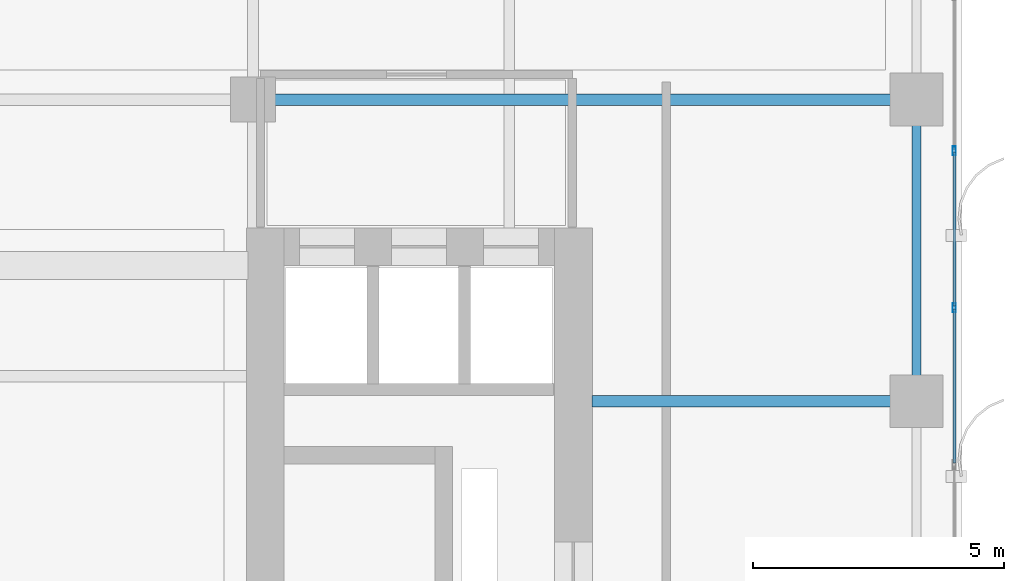
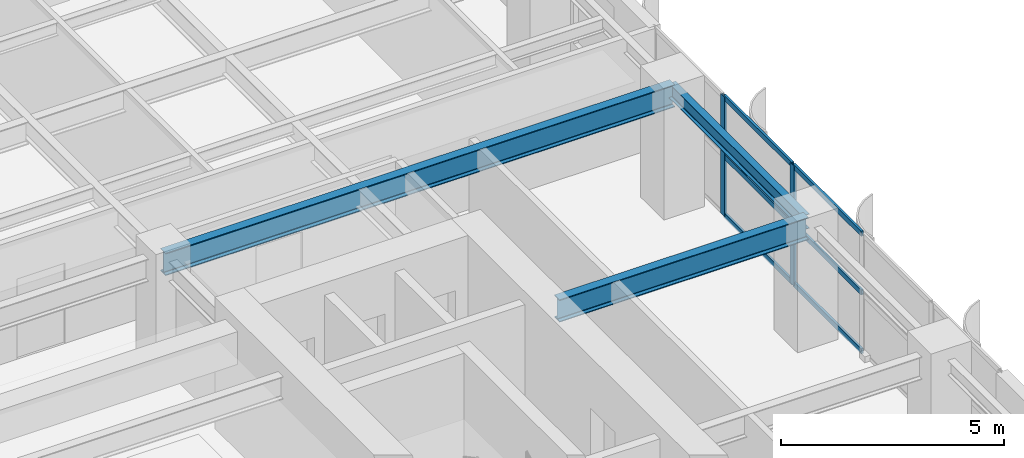
# One storey, part 12 of 28: 8 members, 3 beams, 1 element without a shape of its own.
"""IFC4 building model written with IfcOpenShell, lengths in metres."""

from ifc_helpers import new_model, si_unit, direction, frame, origin, origin_2d, place, context, subcontext, project, spatial, hollow_rectangle, i_section, extrude, source, transform, mapped, material, layer, layer_set, material_profile, profile_set, type_object, element, aggregate, save


model = new_model("IFC4")

# Units and contexts
model_context = context("Model", 3, precision=1e-05, world=origin(), true_north=direction((0.0, 1.0)))
body_context = subcontext(model_context, "Body", "Model", "MODEL_VIEW")
ifc_project = project(units=[si_unit("LENGTHUNIT", "METRE"), si_unit("AREAUNIT", "SQUARE_METRE"), si_unit("VOLUMEUNIT", "CUBIC_METRE"), si_unit("PLANEANGLEUNIT", "RADIAN"), si_unit("MASSUNIT", "GRAM", prefix="KILO")], contexts=[model_context])

# Site, building, storey
site_placement = place(None, origin())
site = spatial("IfcSite", under=ifc_project, at=site_placement, CompositionType="ELEMENT")
building_placement = place(site_placement, origin())
building = spatial("IfcBuilding", under=site, at=building_placement, Name="Khoralis Quay Care Tower", CompositionType="ELEMENT")
storey_placement = place(building_placement, frame((0.0, 0.0, 144.89990234375)))
storey = spatial("IfcBuildingStorey", under=building, at=storey_placement, Name="L38", CompositionType="ELEMENT", Elevation=144.89990234375)

# Beams
ifc_material_1 = material(Name="Steel S355", Category="steel")
ifc_material_profile_1 = material_profile(ifc_material_1, i_section(OverallWidth=0.179931640625, OverallDepth=0.39990234375, WebThickness=0.008544921875, FlangeThickness=0.013427734375, FilletRadius=0.02099609375, at=origin_2d()), Name="Steel S355")
ifc_profile_set_1 = profile_set([ifc_material_profile_1], Name="Steel S355")
beam_type_1 = type_object("IfcBeamType", Name="BM-IPE400", PredefinedType="SPANDREL", material=ifc_profile_set_1)
shared_shape_1 = source(origin(), body_context, "Body", "SweptSolid", [
    extrude(i_section(OverallWidth=0.179931640625, OverallDepth=0.39990234375, WebThickness=0.008544921875, FlangeThickness=0.013427734375, FilletRadius=0.02099609375, at=origin_2d()), origin(), (0.0, 0.0, 1.0), 6.0),
])
beam_1_placement = place(storey_placement, frame((44.10009765625, 24.0, 3.080078125), z_axis=(0.0, 1.0, 0.0), x_axis=(-1.0, 0.0, 0.0)))
element("IfcBeam", 1, at=beam_1_placement, inside=storey, type_object=beam_type_1, Name="BM-TSP-L38-19", PredefinedType="SPANDREL", context=body_context, shape_type="MappedRepresentation", body=[
    mapped(shared_shape_1, transform((0.0, 0.0, 0.0), scale=1.0)),
])
ifc_material_profile_2 = material_profile(ifc_material_1, i_section(OverallWidth=0.22998046875, OverallDepth=0.616943359375, WebThickness=0.01318359375, FlangeThickness=0.022216796875, FilletRadius=0.01806640625, at=origin_2d()), Name="Steel S355")
ifc_profile_set_2 = profile_set([ifc_material_profile_2], Name="Steel S355")
beam_type_2 = type_object("IfcBeamType", Name="BM-W610X140", PredefinedType="BEAM", material=ifc_profile_set_2)
shared_shape_2 = source(origin(), body_context, "Body", "SweptSolid", [
    extrude(i_section(OverallWidth=0.22998046875, OverallDepth=0.616943359375, WebThickness=0.01318359375, FlangeThickness=0.022216796875, FilletRadius=0.01806640625, at=origin_2d()), origin(), (0.0, 0.0, 1.0), 13.2001953125),
])
beam_2_placement = place(storey_placement, frame((30.89990234375, 30.0, 2.9716796875), z_axis=(1.0, 0.0, 0.0), x_axis=(0.0, 1.0, 0.0)))
element("IfcBeam", 2, at=beam_2_placement, inside=storey, type_object=beam_type_2, Name="BM-TGXE-L38-300", PredefinedType="BEAM", context=body_context, shape_type="MappedRepresentation", body=[
    mapped(shared_shape_2, transform((0.0, 0.0, 0.0), scale=1.0)),
])
shared_shape_3 = source(origin(), body_context, "Body", "SweptSolid", [
    extrude(i_section(OverallWidth=0.22998046875, OverallDepth=0.616943359375, WebThickness=0.01318359375, FlangeThickness=0.022216796875, FilletRadius=0.01806640625, at=origin_2d()), origin(), (0.0, 0.0, 1.0), 6.4521484375),
])
beam_3_placement = place(storey_placement, frame((37.64794921875, 24.0, 2.9716796875), z_axis=(1.0, 0.0, 0.0), x_axis=(0.0, 1.0, 0.0)))
element("IfcBeam", 3, at=beam_3_placement, inside=storey, type_object=beam_type_2, Name="BM-TGXE-L38-240", PredefinedType="BEAM", context=body_context, shape_type="MappedRepresentation", body=[
    mapped(shared_shape_3, transform((0.0, 0.0, 0.0), scale=1.0)),
])

# Curtain wall, members
ifc_material_2 = material(Name="Pale anodised aluminium", Category="aluminium")
ifc_layer = layer(ifc_material_2, 0.169921875)
ifc_layer_set = layer_set([ifc_layer], Name="Pale anodised aluminium")
curtain_wall_type = type_object("IfcCurtainWallType", Name="CW-SYS-Z2", PredefinedType="NOTDEFINED", material=ifc_layer_set)
curtain_wall_placement = place(storey_placement, origin())
curtain_wall = element("IfcCurtainWall", 4, at=curtain_wall_placement, inside=storey, type_object=curtain_wall_type, Name="L38 Unitised Curtain Wall CW-L38-P1-E5", PredefinedType="NOTDEFINED")
ifc_material_profile_3 = material_profile(ifc_material_2, hollow_rectangle(XDim=0.06005859375, YDim=0.139892578125, WallThickness=0.00390625, at=origin_2d()), Name="Pale anodised aluminium")
ifc_profile_set_3 = profile_set([ifc_material_profile_3], Name="Pale anodised aluminium")
member_type_1 = type_object("IfcMemberType", Name="CW-TRN-140", PredefinedType="USERDEFINED", material=ifc_profile_set_3)
shared_shape_4 = source(origin(), body_context, "Body", "SweptSolid", [
    extrude(hollow_rectangle(XDim=0.06005859375, YDim=0.139892578125, WallThickness=0.00390625, at=origin_2d()), origin(), (0.0, 0.0, 1.0), 3.06005859375),
])
member_1_placement = place(storey_placement, frame((44.85009765625, 22.77001953125, 0.030029296875), z_axis=(0.0, 1.0, 0.0), x_axis=(-1.0, 0.0, 0.0)))
member_1 = element("IfcMember", 5, at=member_1_placement, type_object=member_type_1, Name="CW2 transom 3.1", ObjectType="TRANSOM", PredefinedType="USERDEFINED", context=body_context, shape_type="MappedRepresentation", body=[
    mapped(shared_shape_4, transform((0.0, 0.0, 0.0), scale=1.0)),
])
member_2_placement = place(storey_placement, frame((44.85009765625, 22.77001953125, 1.64013671875), z_axis=(0.0, 1.0, 0.0), x_axis=(-1.0, 0.0, 0.0)))
member_2 = element("IfcMember", 6, at=member_2_placement, type_object=member_type_1, Name="CW2 transom 3.2", ObjectType="TRANSOM", PredefinedType="USERDEFINED", context=body_context, shape_type="MappedRepresentation", body=[
    mapped(shared_shape_4, transform((0.0, 0.0, 0.0), scale=1.0)),
])
member_3_placement = place(storey_placement, frame((44.85009765625, 22.77001953125, 3.25), z_axis=(0.0, 1.0, 0.0), x_axis=(-1.0, 0.0, 0.0)))
member_3 = element("IfcMember", 7, at=member_3_placement, type_object=member_type_1, Name="CW2 transom 3.3", ObjectType="TRANSOM", PredefinedType="USERDEFINED", context=body_context, shape_type="MappedRepresentation", body=[
    mapped(shared_shape_4, transform((0.0, 0.0, 0.0), scale=1.0)),
])
member_4_placement = place(storey_placement, frame((44.85009765625, 25.889892578125, 0.030029296875), z_axis=(0.0, 1.0, 0.0), x_axis=(-1.0, 0.0, 0.0)))
member_4 = element("IfcMember", 8, at=member_4_placement, type_object=member_type_1, Name="CW2 transom 4.1", ObjectType="TRANSOM", PredefinedType="USERDEFINED", context=body_context, shape_type="MappedRepresentation", body=[
    mapped(shared_shape_4, transform((0.0, 0.0, 0.0), scale=1.0)),
])
member_5_placement = place(storey_placement, frame((44.85009765625, 25.889892578125, 1.64013671875), z_axis=(0.0, 1.0, 0.0), x_axis=(-1.0, 0.0, 0.0)))
member_5 = element("IfcMember", 9, at=member_5_placement, type_object=member_type_1, Name="CW2 transom 4.2", ObjectType="TRANSOM", PredefinedType="USERDEFINED", context=body_context, shape_type="MappedRepresentation", body=[
    mapped(shared_shape_4, transform((0.0, 0.0, 0.0), scale=1.0)),
])
member_6_placement = place(storey_placement, frame((44.85009765625, 25.889892578125, 3.25), z_axis=(0.0, 1.0, 0.0), x_axis=(-1.0, 0.0, 0.0)))
member_6 = element("IfcMember", 10, at=member_6_placement, type_object=member_type_1, Name="CW2 transom 4.3", ObjectType="TRANSOM", PredefinedType="USERDEFINED", context=body_context, shape_type="MappedRepresentation", body=[
    mapped(shared_shape_4, transform((0.0, 0.0, 0.0), scale=1.0)),
])
ifc_material_profile_4 = material_profile(ifc_material_2, hollow_rectangle(XDim=0.06494140625, YDim=0.179931640625, WallThickness=0.00390625, at=origin_2d()), Name="Pale anodised aluminium")
ifc_profile_set_4 = profile_set([ifc_material_profile_4], Name="Pale anodised aluminium")
member_type_2 = type_object("IfcMemberType", Name="CW-MUL-180", PredefinedType="MULLION", material=ifc_profile_set_4)
shared_shape_5 = source(origin(), body_context, "Body", "SweptSolid", [
    extrude(hollow_rectangle(XDim=0.06494140625, YDim=0.179931640625, WallThickness=0.00390625, at=origin_2d()), origin(), (0.0, 0.0, 1.0), 3.280029296875),
])
member_7_placement = place(storey_placement, frame((44.85009765625, 25.860107421875, 0.0), z_axis=(0.0, 0.0, 1.0), x_axis=(-1.0, 0.0, 0.0)))
member_7 = element("IfcMember", 11, at=member_7_placement, type_object=member_type_2, Name="CW2 mullion 4", PredefinedType="MULLION", context=body_context, shape_type="MappedRepresentation", body=[
    mapped(shared_shape_5, transform((0.0, 0.0, 0.0), scale=1.0)),
])
member_8_placement = place(storey_placement, frame((44.85009765625, 28.97998046875, 0.0), z_axis=(0.0, 0.0, 1.0), x_axis=(-1.0, 0.0, 0.0)))
member_8 = element("IfcMember", 12, at=member_8_placement, type_object=member_type_2, Name="CW2 mullion 5", PredefinedType="MULLION", context=body_context, shape_type="MappedRepresentation", body=[
    mapped(shared_shape_5, transform((0.0, 0.0, 0.0), scale=1.0)),
])
aggregate(curtain_wall, [member_7, member_8, member_1, member_2, member_3, member_4, member_5, member_6])

save(model, "model.ifc")
